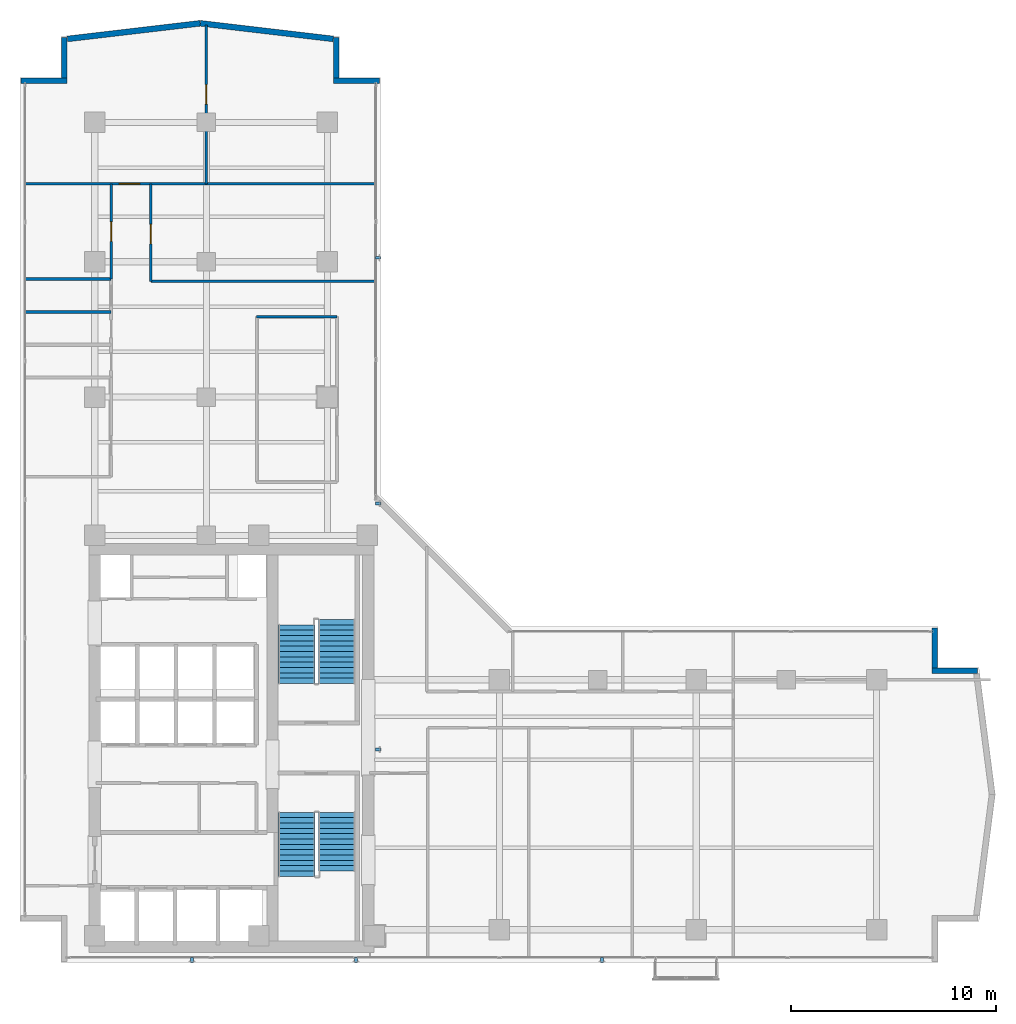
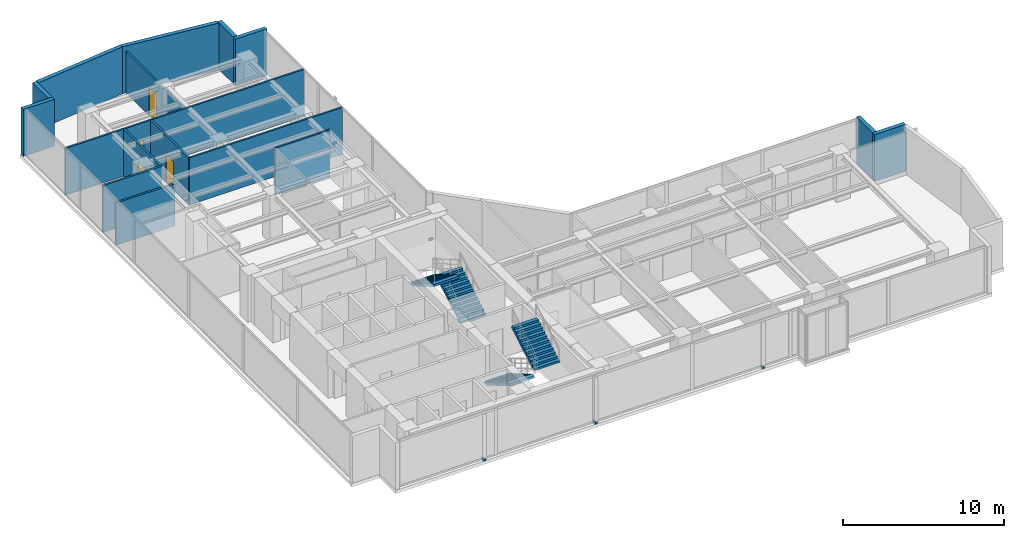
# One storey, part 19 of 24: 16 walls, 6 discrete accessories, 4 doors, 4 stair flights, 4 openings, 2 elements without a shape of their own.
"""IFC4 building model written with IfcOpenShell, lengths in metres."""

from ifc_helpers import new_model, si_unit, direction, frame, frame_2d, origin, origin_with_axes, origin_2d, place, context, subcontext, project, spatial, polyline, rectangle, outline, extrude, source, transform, mapped, material, layer, layer_set, type_object, element, fill, aggregate, save


model = new_model("IFC4")

# Units and contexts
model_context = context("Model", 3, precision=1e-05, world=origin(), true_north=direction((0.0, 1.0)))
body_context = subcontext(model_context, "Body", "Model", "MODEL_VIEW")
ifc_project = project(units=[si_unit("LENGTHUNIT", "METRE"), si_unit("AREAUNIT", "SQUARE_METRE"), si_unit("VOLUMEUNIT", "CUBIC_METRE"), si_unit("PLANEANGLEUNIT", "RADIAN"), si_unit("MASSUNIT", "GRAM", prefix="KILO")], contexts=[model_context])

# Site, building, storey
site_placement = place(None, origin())
site = spatial("IfcSite", under=ifc_project, at=site_placement, CompositionType="ELEMENT")
building_placement = place(site_placement, origin())
building = spatial("IfcBuilding", under=site, at=building_placement, Name="Kolvaren Waterfront Exchange", CompositionType="ELEMENT")
storey_placement = place(building_placement, frame((0.0, 0.0, 208.300048828125)))
storey = spatial("IfcBuildingStorey", under=building, at=storey_placement, Name="L53", CompositionType="ELEMENT", Elevation=208.300048828125)

# Walls
ifc_material_1 = material(Name="Precast concrete C40/50", Category="concrete")
ifc_layer_1 = layer(ifc_material_1, 0.280029296875, Name="Precast concrete C40/50")
ifc_layer_set_1 = layer_set([ifc_layer_1], Name="Precast concrete C40/50")
wall_type_1 = type_object("IfcWallType", Name="ARC-EXT-TERR-280", PredefinedType="SOLIDWALL", material=ifc_layer_set_1)
wall_1_placement = place(storey_placement, frame((48.43994140625, 17.965087890625, 0.0), z_axis=(0.0, 0.0, 1.0), x_axis=(0.0, 1.0, 0.0)))
element("IfcWall", 1, at=wall_1_placement, inside=storey, type_object=wall_type_1, Name="L53 notched corner spandrel pier ENE-A", PredefinedType="SOLIDWALL", context=body_context, shape_type="SweptSolid", body=[
    extrude(rectangle(XDim=1.974853515625, YDim=0.280029296875, at=frame_2d((0.9873046875, 0.0))), origin(), (0.0, 0.0, 1.0), 3.56005859375),
])
for number, where, z_axis, x_axis, name in (
    (2, (48.300048828125, 17.840087890625, 0.0), (0.0, 0.0, 1.0), (1.0, 0.0, 0.0), "L53 notched corner spandrel pier ENE-B"),
    (3, (19.10009765625, 46.639892578125, 0.0), (0.0, 0.0, 1.0), (1.0, 0.0, 0.0), "L53 notched corner spandrel pier NNE-A"),
):
    element("IfcWall", number, at=place(storey_placement, frame(where, z_axis=z_axis, x_axis=x_axis)), inside=storey, type_object=wall_type_1, Name=name, PredefinedType="SOLIDWALL", context=body_context, shape_type="SweptSolid", body=[
        extrude(rectangle(XDim=2.239990234375, YDim=0.280029296875, at=frame_2d((1.1201171875, 0.0))), origin(), (0.0, 0.0, 1.0), 3.56005859375),
    ])
wall_2_placement = place(storey_placement, frame((19.239990234375, 46.780029296875, 0.0), z_axis=(0.0, 0.0, 1.0), x_axis=(0.0, 1.0, 0.0)))
element("IfcWall", 4, at=wall_2_placement, inside=storey, type_object=wall_type_1, Name="L53 notched corner spandrel pier NNE-B", PredefinedType="SOLIDWALL", context=body_context, shape_type="SweptSolid", body=[
    extrude(rectangle(XDim=1.9599609375, YDim=0.280029296875, at=frame_2d((0.97998046875, 0.0))), origin(), (0.0, 0.0, 1.0), 3.56005859375),
])
wall_3_placement = place(storey_placement, frame((3.860107421875, 46.639892578125, 0.0), z_axis=(0.0, 0.0, 1.0), x_axis=(1.0, 0.0, 0.0)))
element("IfcWall", 5, at=wall_3_placement, inside=storey, type_object=wall_type_1, Name="L53 notched corner spandrel pier NW-A", PredefinedType="SOLIDWALL", context=body_context, shape_type="SweptSolid", body=[
    extrude(rectangle(XDim=2.239990234375, YDim=0.280029296875, at=frame_2d((1.1201171875, 0.0))), origin(), (0.0, 0.0, 1.0), 3.56005859375),
])
wall_4_placement = place(storey_placement, frame((5.9599609375, 46.780029296875, 0.0), z_axis=(0.0, 0.0, 1.0), x_axis=(0.0, 1.0, 0.0)))
element("IfcWall", 6, at=wall_4_placement, inside=storey, type_object=wall_type_1, Name="L53 notched corner spandrel pier NW-B", PredefinedType="SOLIDWALL", context=body_context, shape_type="SweptSolid", body=[
    extrude(rectangle(XDim=1.9599609375, YDim=0.280029296875, at=frame_2d((0.97998046875, 0.0))), origin(), (0.0, 0.0, 1.0), 3.56005859375),
])
for number, where, z_axis, x_axis, name in (
    (7, (19.08349609375, 48.676025390625, 0.0), (0.0, 0.0, 1.0), (-0.993149072278, 0.11685426921, 0.0), "L53 north prow faceted facade wall 1"),
    (8, (12.598876953125, 49.438720703125, 0.0), (0.0, 0.0, 1.0), (-0.993149072278, -0.11685426921, 0.0), "L53 north prow faceted facade wall 2"),
):
    element("IfcWall", number, at=place(storey_placement, frame(where, z_axis=z_axis, x_axis=x_axis)), inside=storey, type_object=wall_type_1, Name=name, PredefinedType="SOLIDWALL", context=body_context, shape_type="SweptSolid", body=[
        extrude(rectangle(XDim=6.52685546875, YDim=0.280029296875, at=frame_2d((3.263427734375, 0.0))), origin(), (0.0, 0.0, 1.0), 3.56005859375),
    ])
ifc_material_2 = material(Name="Acoustic gypsum steel stud", Category="steel")
ifc_layer_2 = layer(ifc_material_2, 0.125, Name="Acoustic gypsum steel stud")
ifc_layer_set_2 = layer_set([ifc_layer_2], Name="Acoustic gypsum steel stud")
wall_type_2 = type_object("IfcWallType", Name="ARC-PART-125", PredefinedType="PARTITIONING", material=ifc_layer_set_2)
wall_5_placement = place(storey_placement, frame((15.35009765625, 35.1201171875, 0.0), z_axis=(0.0, 0.0, 1.0), x_axis=(1.0, 0.0, 0.0)))
element("IfcWall", 9, at=wall_5_placement, inside=storey, type_object=wall_type_2, Name="L53 interior wall PW-L53-ISL-N", PredefinedType="PARTITIONING", context=body_context, shape_type="SweptSolid", body=[
    extrude(rectangle(XDim=3.919921875, YDim=0.125, at=frame_2d((1.9599609375, 0.0))), origin(), (0.0, 0.0, 1.0), 3.56005859375),
])

# Wall, opening, door
wall_6_placement = place(storey_placement, frame((8.25, 36.949951171875, 0.0), z_axis=(0.0, 0.0, 1.0), x_axis=(0.0, 1.0, 0.0)))
wall_6 = element("IfcWall", 10, at=wall_6_placement, inside=storey, type_object=wall_type_2, Name="L53 interior wall PW-L53-NW-CORR", PredefinedType="PARTITIONING", context=body_context, shape_type="SweptSolid", body=[
    extrude(rectangle(XDim=4.650146484375, YDim=0.125, at=frame_2d((2.3251953125, 0.0))), origin(), (0.0, 0.0, 1.0), 3.56005859375),
])
opening_1_placement = place(wall_6_placement, frame((1.85009765625, 0.0, 0.0)))
opening_1 = element("IfcOpeningElement", 11, at=opening_1_placement, cuts=wall_6, Name="Opening D02", PredefinedType="OPENING", context=body_context, shape_type="SweptSolid", body=[
    extrude(rectangle(XDim=0.949951171875, YDim=2.14990234375, at=frame_2d((0.47509765625, 1.074951171875))), frame((0.0, 0.072509765625, 0.0), z_axis=(0.0, -1.0, 0.0), x_axis=(1.0, 0.0, 0.0)), (0.0, 0.0, 1.0), 0.14501953125),
])
ifc_material_3 = material(Name="Oak veneer acoustic timber", Category="wood")
door_type_1 = type_object("IfcDoorType", Name="ARC-DR-950", OperationType="NOTDEFINED", PredefinedType="DOOR", material=ifc_material_3)
door_1_placement = place(opening_1_placement, origin())
door_1 = element("IfcDoor", 12, at=door_1_placement, inside=storey, type_object=door_type_1, Name="L53 door DR-L53-NW-D-1 (D02)", OperationType="SINGLE_SWING_RIGHT", OverallHeight=2.14990234375, OverallWidth=0.949951171875, PredefinedType="DOOR", context=body_context, shape_type="SweptSolid", body=[
    extrude(rectangle(XDim=0.949951171875, YDim=2.14990234375, at=frame_2d((0.47509765625, 1.074951171875))), frame((0.0, 0.02490234375, 0.0), z_axis=(0.0, -1.0, 0.0), x_axis=(1.0, 0.0, 0.0)), (0.0, 0.0, 1.0), 0.050048828125),
])
fill(opening_1, door_1)

wall_7_placement = place(storey_placement, frame((4.0400390625, 41.60009765625, 0.0), z_axis=(0.0, 0.0, 1.0), x_axis=(1.0, 0.0, 0.0)))
wall_7 = element("IfcWall", 13, at=wall_7_placement, inside=storey, type_object=wall_type_2, Name="L53 interior wall PW-L53-NTIP-S", PredefinedType="PARTITIONING", context=body_context, shape_type="SweptSolid", body=[
    extrude(rectangle(XDim=17.119873046875, YDim=0.125, at=frame_2d((8.56005859375, 0.0))), origin(), (0.0, 0.0, 1.0), 3.56005859375),
])
opening_2_placement = place(wall_7_placement, frame((4.610107421875, 0.0, 0.0)))
opening_2 = element("IfcOpeningElement", 14, at=opening_2_placement, cuts=wall_7, Name="Opening D03", PredefinedType="OPENING", context=body_context, shape_type="SweptSolid", body=[
    extrude(rectangle(XDim=1.0, YDim=2.199951171875, at=frame_2d((0.5, 1.10009765625))), frame((0.0, 0.072509765625, 0.0), z_axis=(0.0, -1.0, 0.0), x_axis=(1.0, 0.0, 0.0)), (0.0, 0.0, 1.0), 0.14501953125),
])
ifc_material_4 = material(Name="Oak veneer accessible timber", Category="wood")
door_type_2 = type_object("IfcDoorType", Name="ARC-DR-1000", OperationType="NOTDEFINED", PredefinedType="DOOR", material=ifc_material_4)
door_2_placement = place(opening_2_placement, origin())
door_2 = element("IfcDoor", 15, at=door_2_placement, inside=storey, type_object=door_type_2, Name="L53 door DR-L53-NTIPW-D (D03)", OperationType="SINGLE_SWING_LEFT", OverallHeight=2.199951171875, OverallWidth=1.0, PredefinedType="DOOR", context=body_context, shape_type="SweptSolid", body=[
    extrude(rectangle(XDim=1.0, YDim=2.199951171875, at=frame_2d((0.5, 1.10009765625))), frame((0.0, 0.02490234375, 0.0), z_axis=(0.0, -1.0, 0.0), x_axis=(1.0, 0.0, 0.0)), (0.0, 0.0, 1.0), 0.050048828125),
])
fill(opening_2, door_2)

wall_8_placement = place(storey_placement, frame((12.89990234375, 41.60009765625, 0.0), z_axis=(0.0, 0.0, 1.0), x_axis=(0.0, 1.0, 0.0)))
wall_8 = element("IfcWall", 16, at=wall_8_placement, inside=storey, type_object=wall_type_2, Name="L53 interior wall PW-L53-NTIP-DIV", PredefinedType="PARTITIONING", context=body_context, shape_type="SweptSolid", body=[
    extrude(rectangle(XDim=7.760009765625, YDim=0.125, at=frame_2d((3.8798828125, 0.0))), origin(), (0.0, 0.0, 1.0), 3.159912109375),
])
opening_3_placement = place(wall_8_placement, frame((3.8935546875, 0.0, 0.0)))
opening_3 = element("IfcOpeningElement", 17, at=opening_3_placement, cuts=wall_8, Name="Opening D02", PredefinedType="OPENING", context=body_context, shape_type="SweptSolid", body=[
    extrude(rectangle(XDim=0.949951171875, YDim=2.14990234375, at=frame_2d((0.47509765625, 1.074951171875))), frame((0.0, 0.072509765625, 0.0), z_axis=(0.0, -1.0, 0.0), x_axis=(1.0, 0.0, 0.0)), (0.0, 0.0, 1.0), 0.14501953125),
])
door_3_placement = place(opening_3_placement, origin())
door_3 = element("IfcDoor", 18, at=door_3_placement, inside=storey, type_object=door_type_1, Name="L53 door DR-L53-NTIPE-D (D02)", OperationType="SINGLE_SWING_RIGHT", OverallHeight=2.14990234375, OverallWidth=0.949951171875, PredefinedType="DOOR", context=body_context, shape_type="SweptSolid", body=[
    extrude(rectangle(XDim=0.949951171875, YDim=2.14990234375, at=frame_2d((0.47509765625, 1.074951171875))), frame((0.0, 0.02490234375, 0.0), z_axis=(0.0, -1.0, 0.0), x_axis=(1.0, 0.0, 0.0)), (0.0, 0.0, 1.0), 0.050048828125),
])
fill(opening_3, door_3)

# Wall
wall_9_placement = place(storey_placement, frame((10.18994140625, 36.85009765625, 0.0), z_axis=(0.0, 0.0, 1.0), x_axis=(1.0, 0.0, 0.0)))
element("IfcWall", 19, at=wall_9_placement, inside=storey, type_object=wall_type_2, Name="L53 interior wall PW-L53-NE-S0", PredefinedType="PARTITIONING", context=body_context, shape_type="SweptSolid", body=[
    extrude(rectangle(XDim=10.969970703125, YDim=0.125, at=frame_2d((5.48486328125, 0.0))), origin(), (0.0, 0.0, 1.0), 3.56005859375),
])

# Wall, opening, door
wall_10_placement = place(storey_placement, frame((10.18994140625, 36.85009765625, 0.0), z_axis=(0.0, 0.0, 1.0), x_axis=(0.0, 1.0, 0.0)))
wall_10 = element("IfcWall", 20, at=wall_10_placement, inside=storey, type_object=wall_type_2, Name="L53 interior wall PW-L53-NE-CORR", PredefinedType="PARTITIONING", context=body_context, shape_type="SweptSolid", body=[
    extrude(rectangle(XDim=4.75, YDim=0.125, at=frame_2d((2.375, 0.0))), origin(), (0.0, 0.0, 1.0), 3.56005859375),
])
opening_4_placement = place(wall_10_placement, frame((1.82861328125, 0.0, 0.0)))
opening_4 = element("IfcOpeningElement", 21, at=opening_4_placement, cuts=wall_10, Name="Opening D02", PredefinedType="OPENING", context=body_context, shape_type="SweptSolid", body=[
    extrude(rectangle(XDim=0.949951171875, YDim=2.14990234375, at=frame_2d((0.47509765625, 1.074951171875))), frame((0.0, 0.072509765625, 0.0), z_axis=(0.0, -1.0, 0.0), x_axis=(1.0, 0.0, 0.0)), (0.0, 0.0, 1.0), 0.14501953125),
])
door_4_placement = place(opening_4_placement, origin())
door_4 = element("IfcDoor", 22, at=door_4_placement, inside=storey, type_object=door_type_1, Name="L53 door DR-L53-NE-D-1 (D02)", OperationType="SINGLE_SWING_LEFT", OverallHeight=2.14990234375, OverallWidth=0.949951171875, PredefinedType="DOOR", context=body_context, shape_type="SweptSolid", body=[
    extrude(rectangle(XDim=0.949951171875, YDim=2.14990234375, at=frame_2d((0.47509765625, 1.074951171875))), frame((0.0, 0.02490234375, 0.0), z_axis=(0.0, -1.0, 0.0), x_axis=(1.0, 0.0, 0.0)), (0.0, 0.0, 1.0), 0.050048828125),
])
fill(opening_4, door_4)

# Walls
ifc_material_5 = material(Name="Moisture-resistant gypsum stud")
ifc_layer_3 = layer(ifc_material_5, 0.14990234375, Name="Moisture-resistant gypsum stud")
ifc_layer_set_3 = layer_set([ifc_layer_3], Name="Moisture-resistant gypsum stud")
wall_type_3 = type_object("IfcWallType", Name="ARC-PLUMB-150", PredefinedType="PLUMBINGWALL", material=ifc_layer_set_3)
wall_11_placement = place(storey_placement, frame((4.0400390625, 35.35009765625, 0.0), z_axis=(0.0, 0.0, 1.0), x_axis=(1.0, 0.0, 0.0)))
element("IfcWall", 23, at=wall_11_placement, inside=storey, type_object=wall_type_3, Name="L53 interior wall PW-L53-WC-2", PredefinedType="PLUMBINGWALL", context=body_context, shape_type="SweptSolid", body=[
    extrude(rectangle(XDim=4.2099609375, YDim=0.14990234375, at=frame_2d((2.10498046875, 0.0))), origin(), (0.0, 0.0, 1.0), 3.199951171875),
])
wall_12_placement = place(storey_placement, frame((4.0400390625, 36.949951171875, 0.0), z_axis=(0.0, 0.0, 1.0), x_axis=(1.0, 0.0, 0.0)))
element("IfcWall", 24, at=wall_12_placement, inside=storey, type_object=wall_type_3, Name="L53 interior wall PW-L53-WC-3", PredefinedType="PLUMBINGWALL", context=body_context, shape_type="SweptSolid", body=[
    extrude(rectangle(XDim=4.2099609375, YDim=0.14990234375, at=frame_2d((2.10498046875, 0.0))), origin(), (0.0, 0.0, 1.0), 3.56005859375),
])

# Stair, stair flights
ifc_material_6 = material(Name="Concrete C40/50", Category="concrete")
stair_type = type_object("IfcStairType", Name="ARC-STAIR-3800", PredefinedType="HALF_TURN_STAIR", material=ifc_material_6)
stair_1_placement = place(storey_placement, origin())
stair_1 = element("IfcStair", 25, at=stair_1_placement, inside=storey, type_object=stair_type, Name="L53 Smoke-proof exit stair ST1", PredefinedType="HALF_TURN_STAIR")
stair_flight_type = type_object("IfcStairFlightType", Name="ARC-FLIGHT-3800", PredefinedType="STRAIGHT", material=ifc_material_6)
stair_flight_1_placement = place(storey_placement, frame((17.300048828125, 10.929931640625, 0.0), z_axis=(0.0, 0.0, 1.0), x_axis=(0.0, -1.0, 0.0)))
stair_flight_1 = element("IfcStairFlight", 26, at=stair_flight_1_placement, type_object=stair_flight_type, Name="ST1 flight 1", NumberOfRisers=13, NumberOfTreads=12, PredefinedType="STRAIGHT", RiserHeight=0.152, TreadLength=0.26, context=body_context, shape_type="SweptSolid", body=[
    extrude(outline(polyline([(0.0, 0.0), (0.0, 0.152099609375), (0.260009765625, 0.152099609375), (0.260009765625, 0.303955078125), (0.52001953125, 0.303955078125), (0.52001953125, 0.4560546875), (0.780029296875, 0.4560546875), (0.780029296875, 0.60791015625), (1.0400390625, 0.60791015625), (1.0400390625, 0.760009765625), (1.300048828125, 0.760009765625), (1.300048828125, 0.912109375), (1.56005859375, 0.912109375), (1.56005859375, 1.06396484375), (1.820068359375, 1.06396484375), (1.820068359375, 1.216064453125), (2.080078125, 1.216064453125), (2.080078125, 1.367919921875), (2.340087890625, 1.367919921875), (2.340087890625, 1.52001953125), (2.60009765625, 1.52001953125), (2.60009765625, 1.672119140625), (2.860107421875, 1.672119140625), (2.860107421875, 1.823974609375), (3.1201171875, 1.823974609375), (3.1201171875, 1.97607421875), (3.1201171875, 1.650390625), (0.297119140625, 0.0), (0.0, 0.0)])), frame((0.0, 0.89990234375, 0.0), z_axis=(0.0, -1.0, 0.0), x_axis=(1.0, 0.0, 0.0)), (0.0, 0.0, 1.0), 1.800048828125),
])
stair_flight_2_placement = place(storey_placement, frame((19.260009765625, 8.070068359375, 1.975830078125), z_axis=(0.0, 0.0, 1.0), x_axis=(0.0, 1.0, 0.0)))
stair_flight_2 = element("IfcStairFlight", 27, at=stair_flight_2_placement, type_object=stair_flight_type, Name="ST1 flight 2", NumberOfRisers=12, NumberOfTreads=11, PredefinedType="STRAIGHT", RiserHeight=0.152, TreadLength=0.26, context=body_context, shape_type="SweptSolid", body=[
    extrude(outline(polyline([(0.0, 0.0), (0.0, 0.152099609375), (0.260009765625, 0.152099609375), (0.260009765625, 0.303955078125), (0.52001953125, 0.303955078125), (0.52001953125, 0.4560546875), (0.780029296875, 0.4560546875), (0.780029296875, 0.60791015625), (1.0400390625, 0.60791015625), (1.0400390625, 0.760009765625), (1.300048828125, 0.760009765625), (1.300048828125, 0.912109375), (1.56005859375, 0.912109375), (1.56005859375, 1.06396484375), (1.820068359375, 1.06396484375), (1.820068359375, 1.216064453125), (2.080078125, 1.216064453125), (2.080078125, 1.367919921875), (2.340087890625, 1.367919921875), (2.340087890625, 1.52001953125), (2.60009765625, 1.52001953125), (2.60009765625, 1.672119140625), (2.860107421875, 1.672119140625), (2.860107421875, 1.823974609375), (2.860107421875, 1.498291015625), (0.297119140625, 0.0), (0.0, 0.0)])), frame((0.0, 0.89990234375, 0.0), z_axis=(0.0, -1.0, 0.0), x_axis=(1.0, 0.0, 0.0)), (0.0, 0.0, 1.0), 1.800048828125),
])
aggregate(stair_1, [stair_flight_1, stair_flight_2])

stair_2_placement = place(storey_placement, origin())
stair_2 = element("IfcStair", 28, at=stair_2_placement, inside=storey, type_object=stair_type, Name="L53 Smoke-proof exit stair ST2", PredefinedType="HALF_TURN_STAIR")
stair_flight_3_placement = place(storey_placement, frame((19.260009765625, 17.219970703125, 0.0), z_axis=(0.0, 0.0, 1.0), x_axis=(0.0, 1.0, 0.0)))
stair_flight_3 = element("IfcStairFlight", 29, at=stair_flight_3_placement, type_object=stair_flight_type, Name="ST2 flight 1", NumberOfRisers=13, NumberOfTreads=12, PredefinedType="STRAIGHT", RiserHeight=0.152, TreadLength=0.26, context=body_context, shape_type="SweptSolid", body=[
    extrude(outline(polyline([(0.0, 0.0), (0.0, 0.152099609375), (0.260009765625, 0.152099609375), (0.260009765625, 0.303955078125), (0.52001953125, 0.303955078125), (0.52001953125, 0.4560546875), (0.780029296875, 0.4560546875), (0.780029296875, 0.60791015625), (1.0400390625, 0.60791015625), (1.0400390625, 0.760009765625), (1.300048828125, 0.760009765625), (1.300048828125, 0.912109375), (1.56005859375, 0.912109375), (1.56005859375, 1.06396484375), (1.820068359375, 1.06396484375), (1.820068359375, 1.216064453125), (2.080078125, 1.216064453125), (2.080078125, 1.367919921875), (2.340087890625, 1.367919921875), (2.340087890625, 1.52001953125), (2.60009765625, 1.52001953125), (2.60009765625, 1.672119140625), (2.860107421875, 1.672119140625), (2.860107421875, 1.823974609375), (3.1201171875, 1.823974609375), (3.1201171875, 1.97607421875), (3.1201171875, 1.650390625), (0.297119140625, 0.0), (0.0, 0.0)])), frame((0.0, 0.89990234375, 0.0), z_axis=(0.0, -1.0, 0.0), x_axis=(1.0, 0.0, 0.0)), (0.0, 0.0, 1.0), 1.800048828125),
])
stair_flight_4_placement = place(storey_placement, frame((17.300048828125, 20.080078125, 1.975830078125), z_axis=(0.0, 0.0, 1.0), x_axis=(0.0, -1.0, 0.0)))
stair_flight_4 = element("IfcStairFlight", 30, at=stair_flight_4_placement, type_object=stair_flight_type, Name="ST2 flight 2", NumberOfRisers=12, NumberOfTreads=11, PredefinedType="STRAIGHT", RiserHeight=0.152, TreadLength=0.26, context=body_context, shape_type="SweptSolid", body=[
    extrude(outline(polyline([(0.0, 0.0), (0.0, 0.152099609375), (0.260009765625, 0.152099609375), (0.260009765625, 0.303955078125), (0.52001953125, 0.303955078125), (0.52001953125, 0.4560546875), (0.780029296875, 0.4560546875), (0.780029296875, 0.60791015625), (1.0400390625, 0.60791015625), (1.0400390625, 0.760009765625), (1.300048828125, 0.760009765625), (1.300048828125, 0.912109375), (1.56005859375, 0.912109375), (1.56005859375, 1.06396484375), (1.820068359375, 1.06396484375), (1.820068359375, 1.216064453125), (2.080078125, 1.216064453125), (2.080078125, 1.367919921875), (2.340087890625, 1.367919921875), (2.340087890625, 1.52001953125), (2.60009765625, 1.52001953125), (2.60009765625, 1.672119140625), (2.860107421875, 1.672119140625), (2.860107421875, 1.823974609375), (2.860107421875, 1.498291015625), (0.297119140625, 0.0), (0.0, 0.0)])), frame((0.0, 0.89990234375, 0.0), z_axis=(0.0, -1.0, 0.0), x_axis=(1.0, 0.0, 0.0)), (0.0, 0.0, 1.0), 1.800048828125),
])
aggregate(stair_2, [stair_flight_3, stair_flight_4])

# Discrete accessories
ifc_material_7 = material(Name="Stainless steel 316", Category="steel")
discrete_accessory_type = type_object("IfcDiscreteAccessoryType", Name="ARC-BRK-FIN", PredefinedType="BRACKET", material=ifc_material_7)
shared_shape = source(origin_with_axes(), body_context, "Body", "SweptSolid", [
    extrude(rectangle(XDim=0.280029296875, YDim=0.139892578125, at=origin_2d()), origin(), (0.0, 0.0, 1.0), 0.159912109375),
])
for number, where, z_axis, x_axis, name in (
    (31, (12.199951171875, 3.719970703125, 0.0), (0.0, 0.0, 1.0), (0.0, -1.0, 0.0), "L53 bronze fin anchor bracket FIN-L53-S1"),
    (32, (20.199951171875, 3.719970703125, 0.0), (0.0, 0.0, 1.0), (0.0, -1.0, 0.0), "L53 bronze fin anchor bracket FIN-L53-S2"),
    (33, (32.199951171875, 3.719970703125, 0.0), (0.0, 0.0, 1.0), (0.0, -1.0, 0.0), "L53 bronze fin anchor bracket FIN-L53-S3"),
    (34, (21.280029296875, 14.0, 0.0), (0.0, 0.0, 1.0), (1.0, 0.0, 0.0), "L53 bronze fin anchor bracket FIN-L53-E1"),
    (35, (21.280029296875, 26.0, 0.0), (0.0, 0.0, 1.0), (1.0, 0.0, 0.0), "L53 bronze fin anchor bracket FIN-L53-E2"),
    (36, (21.280029296875, 38.0, 0.0), (0.0, 0.0, 1.0), (1.0, 0.0, 0.0), "L53 bronze fin anchor bracket FIN-L53-E3"),
):
    element("IfcDiscreteAccessory", number, at=place(storey_placement, frame(where, z_axis=z_axis, x_axis=x_axis)), inside=storey, type_object=discrete_accessory_type, Name=name, PredefinedType="BRACKET", context=body_context, shape_type="MappedRepresentation", body=[
        mapped(shared_shape, transform((0.0, 0.0, 0.0), x_axis=(1.0, 0.0, 0.0), y_axis=(0.0, 1.0, 0.0), z_axis=(0.0, 0.0, 1.0), scale=1.0)),
    ])

save(model, "model.ifc")
